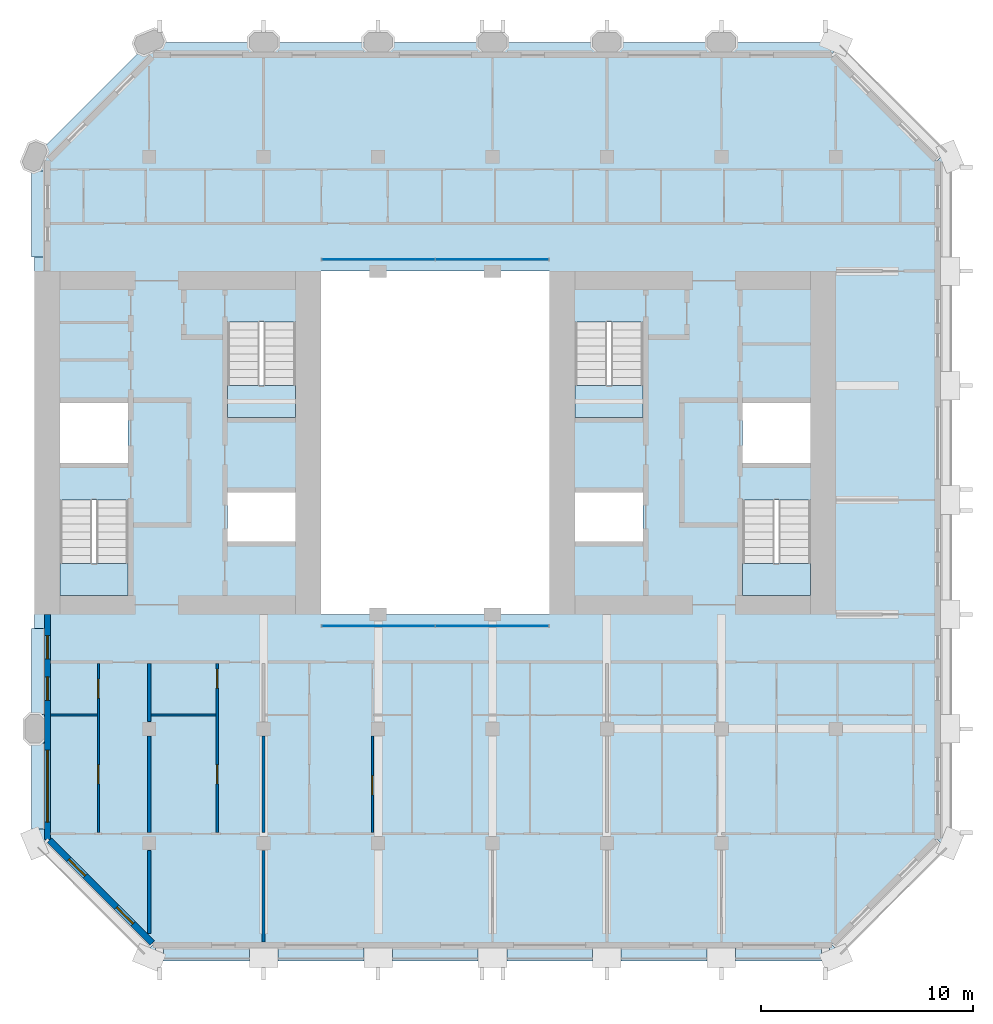
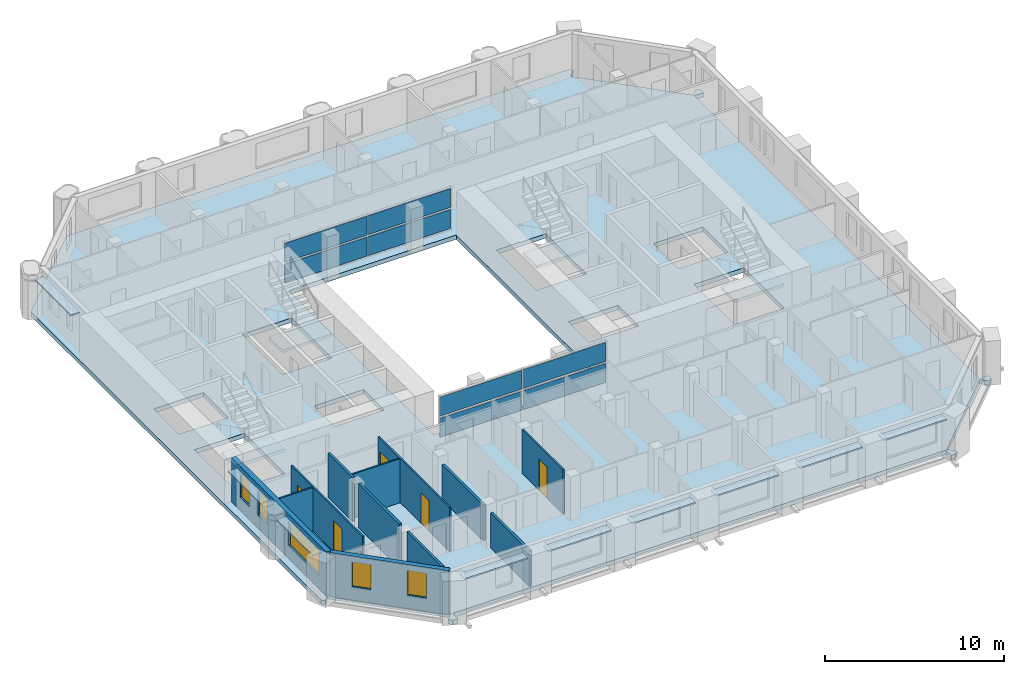
# One storey, part 5 of 14: 17 plates, 12 walls, 5 doors, 5 slabs, 5 windows, 10 openings, 6 elements without a shape of their own.
"""IFC4 building model written with IfcOpenShell, lengths in metres."""

import ifcopenshell
import ifcopenshell.guid

model = None  # the IFC model being written
_history = None  # IfcOwnerHistory: only IFC2X3 demands one
_inside = {}  # id of a spatial element -> (the spatial element, [elements in it])
_under = {}  # id of a project, library or spatial element -> (it, [spatial elements below it])
_declared = {}  # id of a project -> (the project, [libraries it declares])
_typed = {}  # id of a type object -> (the type object, [elements of that type])
_made_of = {}  # id of a material, layer set ... -> (it, [elements and type objects made of it])


def new_model(schema):
    """Start an empty IFC model of exactly this schema.

    Asked for "IFC4X3", IfcOpenShell would pick the latest addendum, in which some entities
    have other attributes; the version numbers below select the first issue.
    IFC2X3 requires an IfcOwnerHistory on every rooted entity: one is made here for all.
    """
    global model, _history
    if schema == "IFC4X3":
        model = ifcopenshell.file(schema_version=(4, 3, 0, 0))
    else:
        model = ifcopenshell.file(schema=schema)
    _inside.clear()
    _under.clear()
    _declared.clear()
    _typed.clear()
    _made_of.clear()
    _history = None
    if model.schema == "IFC2X3":
        org = make("IfcOrganization", Name="unknown")
        user = make(
            "IfcPersonAndOrganization",
            ThePerson=make("IfcPerson", FamilyName="unknown"),
            TheOrganization=org,
        )
        app = make(
            "IfcApplication",
            ApplicationDeveloper=org,
            Version="unknown",
            ApplicationFullName="unknown",
            ApplicationIdentifier="unknown",
        )
        _history = make(
            "IfcOwnerHistory",
            OwningUser=user,
            OwningApplication=app,
            ChangeAction="ADDED",
            CreationDate=0,
        )
    return model


def make(cls, **values):
    """One entity of the class cls with the attributes given. An attribute that is None is left unset."""
    return model.create_entity(
        cls, **{name: value for name, value in values.items() if value is not None}
    )


def rooted(cls, **values):
    """An entity with a GlobalId (a new one), such as an element, a storey or a relation."""
    return make(cls, GlobalId=ifcopenshell.guid.new(), OwnerHistory=_history, **values)


def si_unit(unit_type, name, prefix=None):
    """IfcSIUnit, for example si_unit("LENGTHUNIT", "METRE", prefix="MILLI")."""
    return make("IfcSIUnit", UnitType=unit_type, Prefix=prefix, Name=name)


def assignment(units):
    """IfcUnitAssignment: the units of a project."""
    return None if units is None else make("IfcUnitAssignment", Units=units)


def point(xyz):
    """IfcCartesianPoint."""
    return None if xyz is None else make("IfcCartesianPoint", Coordinates=xyz)


def direction(xyz):
    """IfcDirection."""
    return None if xyz is None else make("IfcDirection", DirectionRatios=xyz)


def frame(location, z_axis=None, x_axis=None):
    """IfcAxis2Placement3D, a coordinate frame: its origin and axes. An axis left out is left unset."""
    return make(
        "IfcAxis2Placement3D",
        Location=point(location),
        Axis=direction(z_axis),
        RefDirection=direction(x_axis),
    )


def frame_2d(location, x_axis=None):
    """IfcAxis2Placement2D, a coordinate frame in the plane: its origin and x axis."""
    return make(
        "IfcAxis2Placement2D", Location=point(location), RefDirection=direction(x_axis)
    )


def origin():
    """The frame at (0, 0, 0) with its axes left unset."""
    return frame((0.0, 0.0, 0.0))


def origin_2d():
    """The frame at (0, 0) in the plane with its x axis left unset."""
    return frame_2d((0.0, 0.0))


def place(relative_to, where):
    """IfcLocalPlacement: puts the frame where relative to a parent placement (None: the world)."""
    return make(
        "IfcLocalPlacement", PlacementRelTo=relative_to, RelativePlacement=where
    )


def context(
    kind, dimensions, precision=None, world=None, true_north=None, identifier=None
):
    """IfcGeometricRepresentationContext, for example the 3D "Model" context."""
    return make(
        "IfcGeometricRepresentationContext",
        ContextIdentifier=identifier,
        ContextType=kind,
        CoordinateSpaceDimension=dimensions,
        Precision=precision,
        WorldCoordinateSystem=world,
        TrueNorth=true_north,
    )


def subcontext(parent, identifier, kind, view, scale=None):
    """IfcGeometricRepresentationSubContext, for example "Body" below "Model"."""
    return make(
        "IfcGeometricRepresentationSubContext",
        ContextIdentifier=identifier,
        ContextType=kind,
        ParentContext=parent,
        TargetScale=scale,
        TargetView=view,
    )


def project(units=None, contexts=None):
    """IfcProject with its units and contexts."""
    return rooted(
        "IfcProject",
        Name="project",
        RepresentationContexts=contexts,
        UnitsInContext=assignment(units),
    )


def spatial(cls, under=None, at=None, **own):
    """A site, building, storey or space (cls), placed at a placement, below another one or the project."""
    s = rooted(cls, ObjectPlacement=at, **own)
    if under is not None:
        _under.setdefault(under.id(), (under, []))[1].append(s)
    return s


def polyline(points):
    """IfcPolyline through the points."""
    return make("IfcPolyline", Points=[point(p) for p in points])


def profile(cls, at=None, kind="AREA", **sizes):
    """A parametric profile (cls). Its sizes go by their IFC names, for example OverallWidth=200.0."""
    return make(cls, ProfileType=kind, Position=at, **sizes)


def rectangle(**sizes):
    """IfcRectangleProfileDef."""
    return profile("IfcRectangleProfileDef", **sizes)


def outline(outer, holes=None, kind="AREA"):
    """IfcArbitraryClosedProfileDef: a profile drawn as a closed curve; with holes, ...WithVoids."""
    if holes is None:
        return make("IfcArbitraryClosedProfileDef", ProfileType=kind, OuterCurve=outer)
    return make(
        "IfcArbitraryProfileDefWithVoids",
        ProfileType=kind,
        OuterCurve=outer,
        InnerCurves=holes,
    )


def extrude(swept, where, along, depth):
    """IfcExtrudedAreaSolid: the profile swept, set in the frame where, extruded along a direction by depth."""
    return make(
        "IfcExtrudedAreaSolid",
        SweptArea=swept,
        Position=where,
        ExtrudedDirection=direction(along),
        Depth=depth,
    )


def shape(context_of_items, identifier, shape_type, items):
    """IfcShapeRepresentation: the items that make up one representation, for example the "Body"."""
    return make(
        "IfcShapeRepresentation",
        ContextOfItems=context_of_items,
        RepresentationIdentifier=identifier,
        RepresentationType=shape_type,
        Items=items,
    )


def material(Name=None, Category=None):
    """IfcMaterial."""
    return make("IfcMaterial", Name=Name, Category=Category)


def layer(
    of_material, thickness, ventilated=None, Name=None, Category=None, Priority=None
):
    """IfcMaterialLayer: one layer of a wall or slab, of a material (None: an air gap)."""
    return make(
        "IfcMaterialLayer",
        Material=of_material,
        LayerThickness=thickness,
        IsVentilated=ventilated,
        Name=Name,
        Category=Category,
        Priority=Priority,
    )


def layer_set(layers, Name=None):
    """IfcMaterialLayerSet."""
    return make("IfcMaterialLayerSet", MaterialLayers=layers, LayerSetName=Name)


def made_of(thing, what):
    """Note that an element or type object is made of a material, layer set ...; save() writes the relation."""
    if what is not None:
        _made_of.setdefault(what.id(), (what, []))[1].append(thing)
    return thing


def type_object(cls, material=None, **own):
    """A type object (cls), such as IfcWallType, which elements share."""
    return made_of(rooted(cls, **own), material)


def element(
    cls,
    number,
    at=None,
    inside=None,
    cuts=None,
    type_object=None,
    material=None,
    context=None,
    identifier="Body",
    shape_type=None,
    held_by="IfcProductDefinitionShape",
    body=None,
    shapes=None,
    **own,
):
    """One element of the class cls, such as IfcWall. Its Tag is "e" and its number.

    at: its placement. inside: the storey or other place that contains it. cuts: it is an
    opening in that element (IfcRelVoidsElement). A single representation is given by context,
    identifier, shape_type and body (its items); several are given by shapes. held_by: the class
    of the entity that holds the representations. save() writes the other relations.
    """
    e = rooted(cls, Tag="e%d" % number, ObjectPlacement=at, **own)
    if body is not None:
        shapes = [shape(context, identifier, shape_type, body)]
    if shapes is not None:
        e.Representation = make(held_by, Representations=shapes)
    if inside is not None:
        _inside.setdefault(inside.id(), (inside, []))[1].append(e)
    if cuts is not None:
        rooted(
            "IfcRelVoidsElement", RelatingBuildingElement=cuts, RelatedOpeningElement=e
        )
    if type_object is not None:
        _typed.setdefault(type_object.id(), (type_object, []))[1].append(e)
    return made_of(e, material)


def fill(opening, filler):
    """IfcRelFillsElement: the door or window that sits in an opening."""
    return rooted(
        "IfcRelFillsElement",
        RelatingOpeningElement=opening,
        RelatedBuildingElement=filler,
    )


def aggregate(whole, parts):
    """IfcRelAggregates: a whole, such as a stair, and the parts it consists of."""
    return rooted("IfcRelAggregates", RelatingObject=whole, RelatedObjects=parts)


def save(model, path):
    """Write the relations noted so far, then the file.

    IfcRelAggregates (storeys below a building ...), IfcRelContainedInSpatialStructure (elements
    in a storey), IfcRelDefinesByType, IfcRelAssociatesMaterial and IfcRelDeclares: one each for
    every whole, place, type object, material and project.
    """
    for whole, parts in _under.values():
        aggregate(whole, parts)
    for where, things in _inside.values():
        rooted(
            "IfcRelContainedInSpatialStructure",
            RelatedElements=things,
            RelatingStructure=where,
        )
    for kind, things in _typed.values():
        rooted("IfcRelDefinesByType", RelatedObjects=things, RelatingType=kind)
    for what, things in _made_of.values():
        rooted("IfcRelAssociatesMaterial", RelatedObjects=things, RelatingMaterial=what)
    for by, libraries in _declared.values():
        rooted("IfcRelDeclares", RelatingContext=by, RelatedDefinitions=libraries)
    model.write(path)


model = new_model("IFC4")

# Units and contexts
model_context = context("Model", 3, precision=1e-05, world=origin(), true_north=direction((0.0, 1.0)))
body_context = subcontext(model_context, "Body", "Model", "MODEL_VIEW")
ifc_project = project(units=[si_unit("LENGTHUNIT", "METRE"), si_unit("AREAUNIT", "SQUARE_METRE"), si_unit("VOLUMEUNIT", "CUBIC_METRE"), si_unit("PLANEANGLEUNIT", "RADIAN"), si_unit("MASSUNIT", "GRAM", prefix="KILO")], contexts=[model_context])

# Site, building, storey
site_placement = place(None, origin())
site = spatial("IfcSite", under=ifc_project, at=site_placement, CompositionType="ELEMENT")
building_placement = place(site_placement, origin())
building = spatial("IfcBuilding", under=site, at=building_placement, Name="Tabaq Tower and Sports Hall", CompositionType="ELEMENT")
storey_placement = place(building_placement, frame((0.0, 0.0, 281.800048828125)))
storey = spatial("IfcBuildingStorey", under=building, at=storey_placement, Name="L69", CompositionType="ELEMENT", Elevation=281.800048828125)

# Curtain wall, plates
ifc_material_1 = material(Name="Aluminium alloy 6063-T6 framed glazing", Category="aluminium")
curtain_wall_type = type_object("IfcCurtainWallType", Name="CW1 curtain wall", PredefinedType="USERDEFINED", material=ifc_material_1)
curtain_wall_1_placement = place(storey_placement, origin())
curtain_wall_1 = element("IfcCurtainWall", 1, at=curtain_wall_1_placement, inside=storey, type_object=curtain_wall_type, Name="Atrium glazing L69 S", ObjectType="ATRIUM ENCLOSURE", PredefinedType="USERDEFINED")
ifc_material_2 = material(Name="Clear low-emissivity glass 28 mm", Category="glass")
ifc_layer_1 = layer(ifc_material_2, 0.028076171875)
ifc_layer_set_1 = layer_set([ifc_layer_1], Name="CW1 glass panel 28")
plate_type_1 = type_object("IfcPlateType", Name="CW1 glass panel 28", PredefinedType="CURTAIN_PANEL", material=ifc_layer_set_1)
plate_1_placement = place(storey_placement, frame((21.614990234375, 15.64990234375, 0.139892578125), z_axis=(0.0, 0.0, 1.0), x_axis=(1.0, 0.0, 0.0)))
plate_1 = element("IfcPlate", 2, at=plate_1_placement, type_object=plate_type_1, Name="CW1 panel 1.1", PredefinedType="CURTAIN_PANEL", context=body_context, shape_type="SweptSolid", body=[
    extrude(rectangle(XDim=5.31005859375, YDim=0.028076171875, at=origin_2d()), origin(), (0.0, 0.0, 1.0), 1.2900390625),
])
plate_2_placement = place(storey_placement, frame((21.614990234375, 15.64990234375, 1.56982421875), z_axis=(0.0, 0.0, 1.0), x_axis=(1.0, 0.0, 0.0)))
plate_2 = element("IfcPlate", 3, at=plate_2_placement, type_object=plate_type_1, Name="CW1 panel 1.2", PredefinedType="CURTAIN_PANEL", context=body_context, shape_type="SweptSolid", body=[
    extrude(rectangle(XDim=5.31005859375, YDim=0.028076171875, at=origin_2d()), origin(), (0.0, 0.0, 1.0), 1.2900390625),
])
plate_3_placement = place(storey_placement, frame((26.985107421875, 15.64990234375, 0.139892578125), z_axis=(0.0, 0.0, 1.0), x_axis=(1.0, 0.0, 0.0)))
plate_3 = element("IfcPlate", 4, at=plate_3_placement, type_object=plate_type_1, Name="CW1 panel 2.1", PredefinedType="CURTAIN_PANEL", context=body_context, shape_type="SweptSolid", body=[
    extrude(rectangle(XDim=5.31005859375, YDim=0.028076171875, at=origin_2d()), origin(), (0.0, 0.0, 1.0), 1.2900390625),
])
plate_4_placement = place(storey_placement, frame((26.985107421875, 15.64990234375, 1.56982421875), z_axis=(0.0, 0.0, 1.0), x_axis=(1.0, 0.0, 0.0)))
plate_4 = element("IfcPlate", 5, at=plate_4_placement, type_object=plate_type_1, Name="CW1 panel 2.2", PredefinedType="CURTAIN_PANEL", context=body_context, shape_type="SweptSolid", body=[
    extrude(rectangle(XDim=5.31005859375, YDim=0.028076171875, at=origin_2d()), origin(), (0.0, 0.0, 1.0), 1.2900390625),
])
aggregate(curtain_wall_1, [plate_1, plate_2, plate_3, plate_4])

curtain_wall_2_placement = place(storey_placement, origin())
curtain_wall_2 = element("IfcCurtainWall", 6, at=curtain_wall_2_placement, inside=storey, type_object=curtain_wall_type, Name="Atrium glazing L69 N", ObjectType="ATRIUM ENCLOSURE", PredefinedType="USERDEFINED")
plate_5_placement = place(storey_placement, frame((21.614990234375, 32.949951171875, 0.139892578125), z_axis=(0.0, 0.0, 1.0), x_axis=(1.0, 0.0, 0.0)))
plate_5 = element("IfcPlate", 7, at=plate_5_placement, type_object=plate_type_1, Name="CW1 panel 1.1", PredefinedType="CURTAIN_PANEL", context=body_context, shape_type="SweptSolid", body=[
    extrude(rectangle(XDim=5.31005859375, YDim=0.028076171875, at=origin_2d()), origin(), (0.0, 0.0, 1.0), 1.2900390625),
])
plate_6_placement = place(storey_placement, frame((21.614990234375, 32.949951171875, 1.56982421875), z_axis=(0.0, 0.0, 1.0), x_axis=(1.0, 0.0, 0.0)))
plate_6 = element("IfcPlate", 8, at=plate_6_placement, type_object=plate_type_1, Name="CW1 panel 1.2", PredefinedType="CURTAIN_PANEL", context=body_context, shape_type="SweptSolid", body=[
    extrude(rectangle(XDim=5.31005859375, YDim=0.028076171875, at=origin_2d()), origin(), (0.0, 0.0, 1.0), 1.2900390625),
])
plate_7_placement = place(storey_placement, frame((26.985107421875, 32.949951171875, 0.139892578125), z_axis=(0.0, 0.0, 1.0), x_axis=(1.0, 0.0, 0.0)))
plate_7 = element("IfcPlate", 9, at=plate_7_placement, type_object=plate_type_1, Name="CW1 panel 2.1", PredefinedType="CURTAIN_PANEL", context=body_context, shape_type="SweptSolid", body=[
    extrude(rectangle(XDim=5.31005859375, YDim=0.028076171875, at=origin_2d()), origin(), (0.0, 0.0, 1.0), 1.2900390625),
])
plate_8_placement = place(storey_placement, frame((26.985107421875, 32.949951171875, 1.56982421875), z_axis=(0.0, 0.0, 1.0), x_axis=(1.0, 0.0, 0.0)))
plate_8 = element("IfcPlate", 10, at=plate_8_placement, type_object=plate_type_1, Name="CW1 panel 2.2", PredefinedType="CURTAIN_PANEL", context=body_context, shape_type="SweptSolid", body=[
    extrude(rectangle(XDim=5.31005859375, YDim=0.028076171875, at=origin_2d()), origin(), (0.0, 0.0, 1.0), 1.2900390625),
])
aggregate(curtain_wall_2, [plate_5, plate_6, plate_7, plate_8])

# Stair, slab
ifc_material_3 = material(Name="Concrete C40/50", Category="concrete")
stair_type = type_object("IfcStairType", Name="Exit stair", PredefinedType="HALF_TURN_STAIR", material=ifc_material_3)
stair_1_placement = place(storey_placement, origin())
stair_1 = element("IfcStair", 11, at=stair_1_placement, inside=storey, type_object=stair_type, Name="L69 Exit stair ST1", PredefinedType="HALF_TURN_STAIR")
ifc_material_4 = material(Name="Concrete C40/50", Category="concrete")
ifc_layer_2 = layer(ifc_material_4, 0.199951171875)
ifc_layer_set_2 = layer_set([ifc_layer_2], Name="Exit stair landing")
slab_type_1 = type_object("IfcSlabType", Name="Exit stair landing", PredefinedType="LANDING", material=ifc_layer_set_2)
slab_1_placement = place(storey_placement, frame((0.0, 0.0, 1.449951171875)))
slab_1 = element("IfcSlab", 12, at=slab_1_placement, type_object=slab_type_1, Name="ST1 landing 1", PredefinedType="LANDING", context=body_context, shape_type="SweptSolid", body=[
    extrude(outline(polyline([(6.60009765625, 18.60009765625), (6.60009765625, 17.10009765625), (9.800048828125, 17.10009765625), (9.800048828125, 18.60009765625), (6.60009765625, 18.60009765625)])), origin(), (0.0, 0.0, 1.0), 0.199951171875),
])
aggregate(stair_1, [slab_1])

stair_2_placement = place(storey_placement, origin())
stair_2 = element("IfcStair", 13, at=stair_2_placement, inside=storey, type_object=stair_type, Name="L69 Exit stair ST2", PredefinedType="HALF_TURN_STAIR")
slab_2_placement = place(storey_placement, frame((0.0, 0.0, 1.449951171875)))
slab_2 = element("IfcSlab", 14, at=slab_2_placement, type_object=slab_type_1, Name="ST2 landing 1", PredefinedType="LANDING", context=body_context, shape_type="SweptSolid", body=[
    extrude(outline(polyline([(14.5, 27.0), (14.5, 25.5), (17.699951171875, 25.5), (17.699951171875, 27.0), (14.5, 27.0)])), origin(), (0.0, 0.0, 1.0), 0.199951171875),
])
aggregate(stair_2, [slab_2])

stair_3_placement = place(storey_placement, origin())
stair_3 = element("IfcStair", 15, at=stair_3_placement, inside=storey, type_object=stair_type, Name="L69 Exit stair ST3", PredefinedType="HALF_TURN_STAIR")
slab_3_placement = place(storey_placement, frame((0.0, 0.0, 1.449951171875)))
slab_3 = element("IfcSlab", 16, at=slab_3_placement, type_object=slab_type_1, Name="ST3 landing 1", PredefinedType="LANDING", context=body_context, shape_type="SweptSolid", body=[
    extrude(outline(polyline([(38.800048828125, 18.60009765625), (38.800048828125, 17.10009765625), (42.0, 17.10009765625), (42.0, 18.60009765625), (38.800048828125, 18.60009765625)])), origin(), (0.0, 0.0, 1.0), 0.199951171875),
])
aggregate(stair_3, [slab_3])

stair_4_placement = place(storey_placement, origin())
stair_4 = element("IfcStair", 17, at=stair_4_placement, inside=storey, type_object=stair_type, Name="L69 Exit stair ST4", PredefinedType="HALF_TURN_STAIR")
slab_4_placement = place(storey_placement, frame((0.0, 0.0, 1.449951171875)))
slab_4 = element("IfcSlab", 18, at=slab_4_placement, type_object=slab_type_1, Name="ST4 landing 1", PredefinedType="LANDING", context=body_context, shape_type="SweptSolid", body=[
    extrude(outline(polyline([(30.89990234375, 27.0), (30.89990234375, 25.5), (34.10009765625, 25.5), (34.10009765625, 27.0), (30.89990234375, 27.0)])), origin(), (0.0, 0.0, 1.0), 0.199951171875),
])
aggregate(stair_4, [slab_4])

# Slab
ifc_material_5 = material(Name="Concrete C40/50", Category="concrete")
ifc_layer_3 = layer(ifc_material_5, 0.300048828125)
ifc_layer_set_3 = layer_set([ifc_layer_3], Name="PT FLOOR SLAB 300 C40/50")
slab_type_2 = type_object("IfcSlabType", Name="PT FLOOR SLAB 300 C40/50", PredefinedType="FLOOR", material=ifc_layer_set_3)
slab_5_placement = place(storey_placement, frame((0.0, 0.0, -0.300048828125)))
element("IfcSlab", 19, at=slab_5_placement, inside=storey, type_object=slab_type_2, Name="Floor Slab L69", PredefinedType="FLOOR", context=body_context, shape_type="SweptSolid", body=[
    extrude(outline(polyline([(5.39990234375, 37.800048828125), (5.39990234375, 5.39990234375), (5.57666015625, 5.22314453125), (5.930419921875, 5.57666015625), (6.0009765625, 5.6474609375), (11.01318359375, 0.63525390625), (10.5888671875, 0.211181640625), (10.800048828125, 0.0), (11.0986328125, 0.0), (11.0986328125, 0.5), (11.0986328125, 0.60009765625), (42.9013671875, 0.60009765625), (42.9013671875, 0.5), (42.9013671875, 0.0), (43.199951171875, 0.0), (43.4111328125, 0.211181640625), (42.98681640625, 0.63525390625), (47.964599609375, 5.61328125), (48.035400390625, 5.54248046875), (48.388916015625, 5.18896484375), (48.60009765625, 5.39990234375), (48.60009765625, 5.698486328125), (48.10009765625, 5.698486328125), (48.0, 5.698486328125), (48.0, 37.50146484375), (48.10009765625, 37.50146484375), (48.60009765625, 37.50146484375), (48.60009765625, 37.800048828125), (48.388916015625, 38.010986328125), (48.035400390625, 37.657470703125), (47.964599609375, 37.5869140625), (42.952392578125, 42.598876953125), (43.023193359375, 42.669677734375), (43.376708984375, 43.023193359375), (43.199951171875, 43.199951171875), (10.800048828125, 43.199951171875), (5.39990234375, 37.800048828125)]), holes=[polyline([(6.60009765625, 21.599365234375), (9.800048828125, 21.599365234375), (9.800048828125, 17.10009765625), (6.60009765625, 17.10009765625), (6.60009765625, 21.599365234375)]), polyline([(38.800048828125, 21.599365234375), (42.0, 21.599365234375), (42.0, 17.10009765625), (38.800048828125, 17.10009765625), (38.800048828125, 21.599365234375)]), polyline([(14.5, 21.949951171875), (17.699951171875, 21.949951171875), (17.699951171875, 19.64990234375), (14.5, 19.64990234375), (14.5, 21.949951171875)]), polyline([(30.89990234375, 21.949951171875), (34.10009765625, 21.949951171875), (34.10009765625, 19.64990234375), (30.89990234375, 19.64990234375), (30.89990234375, 21.949951171875)]), polyline([(18.89990234375, 16.199951171875), (18.89990234375, 32.39990234375), (29.699951171875, 32.39990234375), (29.699951171875, 16.199951171875), (18.89990234375, 16.199951171875)]), polyline([(6.60009765625, 26.175048828125), (9.800048828125, 26.175048828125), (9.800048828125, 23.35009765625), (6.60009765625, 23.35009765625), (6.60009765625, 26.175048828125)]), polyline([(38.800048828125, 26.175048828125), (42.0, 26.175048828125), (42.0, 23.35009765625), (38.800048828125, 23.35009765625), (38.800048828125, 26.175048828125)]), polyline([(17.699951171875, 29.99951171875), (17.699951171875, 25.5), (14.5, 25.5), (14.5, 29.99951171875), (17.699951171875, 29.99951171875)]), polyline([(34.10009765625, 29.99951171875), (34.10009765625, 25.5), (30.89990234375, 25.5), (30.89990234375, 29.99951171875), (34.10009765625, 29.99951171875)])]), origin(), (0.0, 0.0, 1.0), 0.300048828125),
])

# Plates
ifc_material_6 = material(Name="White precast concrete C60/75 blade", Category="concrete")
ifc_layer_4 = layer(ifc_material_6, 0.10009765625)
ifc_layer_set_4 = layer_set([ifc_layer_4], Name="White precast concrete C60/75 sunshade 100")
plate_type_2 = type_object("IfcPlateType", Name="White precast concrete C60/75 sunshade 100", PredefinedType="USERDEFINED", material=ifc_layer_set_4)
for number, where, z_axis, x_axis, name in (
    (20, (13.5, 0.14990234375, 2.599853515625), (0.0, 0.0, 1.0), (1.0, 0.0, 0.0), "Sunshade L69 S"),
    (21, (18.89990234375, 0.14990234375, 2.599853515625), (0.0, 0.0, 1.0), (1.0, 0.0, 0.0), "Sunshade L69 S"),
    (22, (24.300048828125, 0.14990234375, 2.599853515625), (0.0, 0.0, 1.0), (1.0, 0.0, 0.0), "Sunshade L69 S"),
    (23, (29.699951171875, 0.14990234375, 2.599853515625), (0.0, 0.0, 1.0), (1.0, 0.0, 0.0), "Sunshade L69 S"),
    (24, (35.10009765625, 0.14990234375, 2.599853515625), (0.0, 0.0, 1.0), (1.0, 0.0, 0.0), "Sunshade L69 S"),
    (25, (40.5, 0.14990234375, 2.599853515625), (0.0, 0.0, 1.0), (1.0, 0.0, 0.0), "Sunshade L69 S"),
    (26, (5.550048828125, 35.10009765625, 2.599853515625), (0.0, 0.0, 1.0), (0.0, -1.0, 0.0), "Sunshade L69 W"),
    (27, (5.550048828125, 13.5, 2.599853515625), (0.0, 0.0, 1.0), (0.0, -1.0, 0.0), "Sunshade L69 W"),
    (28, (5.550048828125, 8.10009765625, 2.599853515625), (0.0, 0.0, 1.0), (0.0, -1.0, 0.0), "Sunshade L69 W"),
):
    element("IfcPlate", number, at=place(storey_placement, frame(where, z_axis=z_axis, x_axis=x_axis)), inside=storey, type_object=plate_type_2, Name=name, ObjectType="SUNSHADE", PredefinedType="USERDEFINED", context=body_context, shape_type="SweptSolid", body=[
        extrude(rectangle(XDim=4.050048828125, YDim=0.60009765625, at=origin_2d()), origin(), (0.0, 0.0, 1.0), 0.10009765625),
    ])

# Wall
ifc_material_7 = material(Name="Gypsum board on steel studs", Category="steel")
ifc_layer_5 = layer(ifc_material_7, 0.10009765625)
ifc_layer_set_5 = layer_set([ifc_layer_5], Name="Partition 100 Gypsum board")
wall_type_1 = type_object("IfcWallType", Name="Partition 100 Gypsum board", PredefinedType="PARTITIONING", material=ifc_layer_set_5)
wall_1_placement = place(storey_placement, frame((8.35009765625, 11.449951171875, 0.0), z_axis=(0.0, 0.0, 1.0), x_axis=(-1.0, 0.0, 0.0)))
element("IfcWall", 29, at=wall_1_placement, inside=storey, type_object=wall_type_1, Name="Partition wall L69", PredefinedType="PARTITIONING", context=body_context, shape_type="SweptSolid", body=[
    extrude(rectangle(XDim=2.19921875, YDim=0.10009765625, at=frame_2d((1.099609375, 0.0))), origin(), (0.0, 0.0, 1.0), 3.0),
])

# Wall, openings, doors
wall_2_placement = place(storey_placement, frame((8.39990234375, 5.89990234375, 0.0), z_axis=(0.0, 0.0, 1.0), x_axis=(0.0, 1.0, 0.0)))
wall_2 = element("IfcWall", 30, at=wall_2_placement, inside=storey, type_object=wall_type_1, Name="Partition wall L69", PredefinedType="PARTITIONING", context=body_context, shape_type="SweptSolid", body=[
    extrude(rectangle(XDim=7.97509765625, YDim=0.10009765625, at=frame_2d((3.987548828125, 0.0))), origin(), (0.0, 0.0, 1.0), 3.0),
])
opening_1_placement = place(wall_2_placement, frame((6.35009765625, 0.0, 0.0)))
opening_1 = element("IfcOpeningElement", 31, at=opening_1_placement, cuts=wall_2, Name="Opening L69-013", PredefinedType="OPENING", context=body_context, shape_type="SweptSolid", body=[
    extrude(rectangle(XDim=0.89990234375, YDim=2.10009765625, at=frame_2d((0.449951171875, 1.050048828125))), frame((0.0, 0.050048828125, 0.0), z_axis=(0.0, -1.0, 0.0), x_axis=(1.0, 0.0, 0.0)), (0.0, 0.0, 1.0), 0.10009765625),
])
opening_2_placement = place(wall_2_placement, frame((2.300048828125, 0.0, 0.0)))
opening_2 = element("IfcOpeningElement", 32, at=opening_2_placement, cuts=wall_2, Name="Opening L69-036", PredefinedType="OPENING", context=body_context, shape_type="SweptSolid", body=[
    extrude(rectangle(XDim=0.89990234375, YDim=2.10009765625, at=frame_2d((0.449951171875, 1.050048828125))), frame((0.0, 0.050048828125, 0.0), z_axis=(0.0, -1.0, 0.0), x_axis=(1.0, 0.0, 0.0)), (0.0, 0.0, 1.0), 0.10009765625),
])
ifc_material_8 = material(Name="Timber leaf in steel frame", Category="steel")
door_type_1 = type_object("IfcDoorType", Name="Internal door 900 left hand", OperationType="SINGLE_SWING_LEFT", PredefinedType="DOOR", material=ifc_material_8)
door_1_placement = place(opening_2_placement, origin())
door_1 = element("IfcDoor", 33, at=door_1_placement, inside=storey, type_object=door_type_1, Name="Internal door L69-036", OperationType="SINGLE_SWING_LEFT", OverallHeight=2.10009765625, OverallWidth=0.89990234375, PredefinedType="DOOR", context=body_context, shape_type="SweptSolid", body=[
    extrude(rectangle(XDim=0.89990234375, YDim=2.10009765625, at=frame_2d((0.449951171875, 1.050048828125))), frame((0.0, 0.02490234375, 0.0), z_axis=(0.0, -1.0, 0.0), x_axis=(1.0, 0.0, 0.0)), (0.0, 0.0, 1.0), 0.050048828125),
])
fill(opening_2, door_1)
ifc_material_9 = material(Name="Timber leaf in steel frame", Category="steel")
door_type_2 = type_object("IfcDoorType", Name="Internal door 900 right hand", OperationType="SINGLE_SWING_RIGHT", PredefinedType="DOOR", material=ifc_material_9)
door_2_placement = place(opening_1_placement, origin())
door_2 = element("IfcDoor", 34, at=door_2_placement, inside=storey, type_object=door_type_2, Name="Internal door L69-013", OperationType="SINGLE_SWING_RIGHT", OverallHeight=2.10009765625, OverallWidth=0.89990234375, PredefinedType="DOOR", context=body_context, shape_type="SweptSolid", body=[
    extrude(rectangle(XDim=0.89990234375, YDim=2.10009765625, at=frame_2d((0.449951171875, 1.050048828125))), frame((0.0, 0.02490234375, 0.0), z_axis=(0.0, -1.0, 0.0), x_axis=(1.0, 0.0, 0.0)), (0.0, 0.0, 1.0), 0.050048828125),
])
fill(opening_1, door_2)

# Wall
wall_3_placement = place(storey_placement, frame((13.9599609375, 11.449951171875, 0.0), z_axis=(0.0, 0.0, 1.0), x_axis=(-1.0, 0.0, 0.0)))
element("IfcWall", 35, at=wall_3_placement, inside=storey, type_object=wall_type_1, Name="Partition wall L69", PredefinedType="PARTITIONING", context=body_context, shape_type="SweptSolid", body=[
    extrude(rectangle(XDim=3.0849609375, YDim=0.10009765625, at=frame_2d((1.54248046875, 0.0))), origin(), (0.0, 0.0, 1.0), 3.0),
])

# Wall, openings, doors
wall_4_placement = place(storey_placement, frame((14.010009765625, 5.89990234375, 0.0), z_axis=(0.0, 0.0, 1.0), x_axis=(0.0, 1.0, 0.0)))
wall_4 = element("IfcWall", 36, at=wall_4_placement, inside=storey, type_object=wall_type_1, Name="Partition wall L69", PredefinedType="PARTITIONING", context=body_context, shape_type="SweptSolid", body=[
    extrude(rectangle(XDim=7.97509765625, YDim=0.10009765625, at=frame_2d((3.987548828125, 0.0))), origin(), (0.0, 0.0, 1.0), 3.0),
])
opening_3_placement = place(wall_4_placement, frame((6.824951171875, 0.0, 0.0)))
opening_3 = element("IfcOpeningElement", 37, at=opening_3_placement, cuts=wall_4, Name="Opening L69-014", PredefinedType="OPENING", context=body_context, shape_type="SweptSolid", body=[
    extrude(rectangle(XDim=0.89990234375, YDim=2.10009765625, at=frame_2d((0.449951171875, 1.050048828125))), frame((0.0, 0.050048828125, 0.0), z_axis=(0.0, -1.0, 0.0), x_axis=(1.0, 0.0, 0.0)), (0.0, 0.0, 1.0), 0.10009765625),
])
opening_4_placement = place(wall_4_placement, frame((2.300048828125, 0.0, 0.0)))
opening_4 = element("IfcOpeningElement", 38, at=opening_4_placement, cuts=wall_4, Name="Opening L69-039", PredefinedType="OPENING", context=body_context, shape_type="SweptSolid", body=[
    extrude(rectangle(XDim=0.89990234375, YDim=2.10009765625, at=frame_2d((0.449951171875, 1.050048828125))), frame((0.0, 0.050048828125, 0.0), z_axis=(0.0, -1.0, 0.0), x_axis=(1.0, 0.0, 0.0)), (0.0, 0.0, 1.0), 0.10009765625),
])
door_3_placement = place(opening_3_placement, origin())
door_3 = element("IfcDoor", 39, at=door_3_placement, inside=storey, type_object=door_type_1, Name="Internal door L69-014", OperationType="SINGLE_SWING_LEFT", OverallHeight=2.10009765625, OverallWidth=0.89990234375, PredefinedType="DOOR", context=body_context, shape_type="SweptSolid", body=[
    extrude(rectangle(XDim=0.89990234375, YDim=2.10009765625, at=frame_2d((0.449951171875, 1.050048828125))), frame((0.0, 0.02490234375, 0.0), z_axis=(0.0, -1.0, 0.0), x_axis=(1.0, 0.0, 0.0)), (0.0, 0.0, 1.0), 0.050048828125),
])
fill(opening_3, door_3)
door_4_placement = place(opening_4_placement, origin())
door_4 = element("IfcDoor", 40, at=door_4_placement, inside=storey, type_object=door_type_2, Name="Internal door L69-039", OperationType="SINGLE_SWING_RIGHT", OverallHeight=2.10009765625, OverallWidth=0.89990234375, PredefinedType="DOOR", context=body_context, shape_type="SweptSolid", body=[
    extrude(rectangle(XDim=0.89990234375, YDim=2.10009765625, at=frame_2d((0.449951171875, 1.050048828125))), frame((0.0, 0.02490234375, 0.0), z_axis=(0.0, -1.0, 0.0), x_axis=(1.0, 0.0, 0.0)), (0.0, 0.0, 1.0), 0.050048828125),
])
fill(opening_4, door_4)

# Wall, opening, door
wall_5_placement = place(storey_placement, frame((21.3310546875, 5.89990234375, 0.0), z_axis=(0.0, 0.0, 1.0), x_axis=(0.0, 1.0, 0.0)))
wall_5 = element("IfcWall", 41, at=wall_5_placement, inside=storey, type_object=wall_type_1, Name="Partition wall L69", PredefinedType="PARTITIONING", context=body_context, shape_type="SweptSolid", body=[
    extrude(rectangle(XDim=4.55517578125, YDim=0.10009765625, at=frame_2d((2.277587890625, 0.0))), origin(), (0.0, 0.0, 1.0), 3.0),
])
opening_5_placement = place(wall_5_placement, frame((1.787109375, 0.0, 0.0)))
opening_5 = element("IfcOpeningElement", 42, at=opening_5_placement, cuts=wall_5, Name="Opening L69-017", PredefinedType="OPENING", context=body_context, shape_type="SweptSolid", body=[
    extrude(rectangle(XDim=0.89990234375, YDim=2.10009765625, at=frame_2d((0.449951171875, 1.050048828125))), frame((0.0, 0.050048828125, 0.0), z_axis=(0.0, -1.0, 0.0), x_axis=(1.0, 0.0, 0.0)), (0.0, 0.0, 1.0), 0.10009765625),
])
door_5_placement = place(opening_5_placement, origin())
door_5 = element("IfcDoor", 43, at=door_5_placement, inside=storey, type_object=door_type_1, Name="Internal door L69-017", OperationType="SINGLE_SWING_LEFT", OverallHeight=2.10009765625, OverallWidth=0.89990234375, PredefinedType="DOOR", context=body_context, shape_type="SweptSolid", body=[
    extrude(rectangle(XDim=0.89990234375, YDim=2.10009765625, at=frame_2d((0.449951171875, 1.050048828125))), frame((0.0, 0.02490234375, 0.0), z_axis=(0.0, -1.0, 0.0), x_axis=(1.0, 0.0, 0.0)), (0.0, 0.0, 1.0), 0.050048828125),
])
fill(opening_5, door_5)

# Walls
ifc_material_10 = material(Name="Blockwork", Category="masonry")
ifc_layer_6 = layer(ifc_material_10, 0.14990234375)
ifc_layer_set_6 = layer_set([ifc_layer_6], Name="Separating wall 150 Blockwork")
wall_type_2 = type_object("IfcWallType", Name="Separating wall 150 Blockwork", PredefinedType="PARTITIONING", material=ifc_layer_set_6)
wall_6_placement = place(storey_placement, frame((10.800048828125, 1.13720703125, 0.0), z_axis=(0.0, 0.0, 1.0), x_axis=(0.0, 1.0, 0.0)))
element("IfcWall", 44, at=wall_6_placement, inside=storey, type_object=wall_type_2, Name="Separating wall L69", PredefinedType="PARTITIONING", context=body_context, shape_type="SweptSolid", body=[
    extrude(rectangle(XDim=3.917724609375, YDim=0.14990234375, at=frame_2d((1.958984375, 0.0))), origin(), (0.0, 0.0, 1.0), 3.0),
])
wall_7_placement = place(storey_placement, frame((10.800048828125, 5.89990234375, 0.0), z_axis=(0.0, 0.0, 1.0), x_axis=(0.0, 1.0, 0.0)))
element("IfcWall", 45, at=wall_7_placement, inside=storey, type_object=wall_type_2, Name="Separating wall L69", PredefinedType="PARTITIONING", context=body_context, shape_type="SweptSolid", body=[
    extrude(rectangle(XDim=4.55517578125, YDim=0.14990234375, at=frame_2d((2.277587890625, 0.0))), origin(), (0.0, 0.0, 1.0), 3.0),
])
wall_8_placement = place(storey_placement, frame((10.800048828125, 11.14501953125, 0.0), z_axis=(0.0, 0.0, 1.0), x_axis=(0.0, 1.0, 0.0)))
element("IfcWall", 46, at=wall_8_placement, inside=storey, type_object=wall_type_2, Name="Separating wall L69", PredefinedType="PARTITIONING", context=body_context, shape_type="SweptSolid", body=[
    extrude(rectangle(XDim=2.72998046875, YDim=0.14990234375, at=frame_2d((1.364990234375, 0.0))), origin(), (0.0, 0.0, 1.0), 3.0),
])
wall_9_placement = place(storey_placement, frame((16.199951171875, 0.7509765625, 0.0), z_axis=(0.0, 0.0, 1.0), x_axis=(0.0, 1.0, 0.0)))
element("IfcWall", 47, at=wall_9_placement, inside=storey, type_object=wall_type_2, Name="Separating wall L69", PredefinedType="PARTITIONING", context=body_context, shape_type="SweptSolid", body=[
    extrude(rectangle(XDim=4.303955078125, YDim=0.14990234375, at=frame_2d((2.15185546875, 0.0))), origin(), (0.0, 0.0, 1.0), 2.39990234375),
])
wall_10_placement = place(storey_placement, frame((16.199951171875, 5.89990234375, 0.0), z_axis=(0.0, 0.0, 1.0), x_axis=(0.0, 1.0, 0.0)))
element("IfcWall", 48, at=wall_10_placement, inside=storey, type_object=wall_type_2, Name="Separating wall L69", PredefinedType="PARTITIONING", context=body_context, shape_type="SweptSolid", body=[
    extrude(rectangle(XDim=4.55517578125, YDim=0.14990234375, at=frame_2d((2.277587890625, 0.0))), origin(), (0.0, 0.0, 1.0), 2.39990234375),
])

# Wall, openings, windows
ifc_material_11 = material(Name="White precast concrete C60/75", Category="concrete")
ifc_layer_7 = layer(ifc_material_11, 0.300048828125)
ifc_layer_set_7 = layer_set([ifc_layer_7], Name="White precast concrete C60/75 external wall 300")
wall_type_3 = type_object("IfcWallType", Name="White precast concrete C60/75 external wall 300", PredefinedType="SOLIDWALL", material=ifc_layer_set_7)
wall_11_placement = place(storey_placement, frame((6.0, 16.199951171875, 0.0), z_axis=(0.0, 0.0, 1.0), x_axis=(0.0, -1.0, 0.0)))
wall_11 = element("IfcWall", 49, at=wall_11_placement, inside=storey, type_object=wall_type_3, Name="External Wall L69 W", PredefinedType="SOLIDWALL", context=body_context, shape_type="SweptSolid", body=[
    extrude(rectangle(XDim=10.613525390625, YDim=0.300048828125, at=frame_2d((5.306640625, 0.0))), origin(), (0.0, 0.0, 1.0), 3.0),
])
opening_6_placement = place(wall_11_placement, frame((1.0, 0.0, 0.89990234375)))
opening_6 = element("IfcOpeningElement", 50, at=opening_6_placement, cuts=wall_11, Name="Opening W1B", PredefinedType="OPENING", context=body_context, shape_type="SweptSolid", body=[
    extrude(rectangle(XDim=1.10009765625, YDim=1.699951171875, at=frame_2d((0.550048828125, 0.85009765625))), frame((0.0, 0.16015625, 0.0), z_axis=(0.0, -1.0, 0.0), x_axis=(1.0, 0.0, 0.0)), (0.0, 0.0, 1.0), 0.320068359375),
])
opening_7_placement = place(wall_11_placement, frame((2.949951171875, 0.0, 0.89990234375)))
opening_7 = element("IfcOpeningElement", 51, at=opening_7_placement, cuts=wall_11, Name="Opening W1B", PredefinedType="OPENING", context=body_context, shape_type="SweptSolid", body=[
    extrude(rectangle(XDim=1.10009765625, YDim=1.699951171875, at=frame_2d((0.550048828125, 0.85009765625))), frame((0.0, 0.16015625, 0.0), z_axis=(0.0, -1.0, 0.0), x_axis=(1.0, 0.0, 0.0)), (0.0, 0.0, 1.0), 0.320068359375),
])
opening_8_placement = place(wall_11_placement, frame((6.39990234375, 0.0, 0.89990234375)))
opening_8 = element("IfcOpeningElement", 52, at=opening_8_placement, cuts=wall_11, Name="Opening W1A", PredefinedType="OPENING", context=body_context, shape_type="SweptSolid", body=[
    extrude(rectangle(XDim=3.39990234375, YDim=1.699951171875, at=frame_2d((1.699951171875, 0.85009765625))), frame((0.0, 0.16015625, 0.0), z_axis=(0.0, -1.0, 0.0), x_axis=(1.0, 0.0, 0.0)), (0.0, 0.0, 1.0), 0.320068359375),
])
ifc_material_12 = material(Name="Aluminium framed clear glazing", Category="aluminium")
window_type_1 = type_object("IfcWindowType", Name="Window W1A", PartitioningType="SINGLE_PANEL", PredefinedType="WINDOW", material=ifc_material_12)
window_1_placement = place(opening_8_placement, origin())
window_1 = element("IfcWindow", 53, at=window_1_placement, inside=storey, type_object=window_type_1, Name="Window W1A L69", OverallHeight=1.699951171875, OverallWidth=3.39990234375, PartitioningType="SINGLE_PANEL", PredefinedType="WINDOW", context=body_context, shape_type="SweptSolid", body=[
    extrude(rectangle(XDim=3.39990234375, YDim=1.699951171875, at=frame_2d((1.699951171875, 0.85009765625))), frame((0.0, 0.030029296875, 0.0), z_axis=(0.0, -1.0, 0.0), x_axis=(1.0, 0.0, 0.0)), (0.0, 0.0, 1.0), 0.06005859375),
])
fill(opening_8, window_1)
ifc_material_13 = material(Name="Aluminium framed clear glazing", Category="aluminium")
window_type_2 = type_object("IfcWindowType", Name="Window W1B", PartitioningType="SINGLE_PANEL", PredefinedType="WINDOW", material=ifc_material_13)
window_2_placement = place(opening_6_placement, origin())
window_2 = element("IfcWindow", 54, at=window_2_placement, inside=storey, type_object=window_type_2, Name="Window W1B L69", OverallHeight=1.699951171875, OverallWidth=1.10009765625, PartitioningType="SINGLE_PANEL", PredefinedType="WINDOW", context=body_context, shape_type="SweptSolid", body=[
    extrude(rectangle(XDim=1.10009765625, YDim=1.699951171875, at=frame_2d((0.550048828125, 0.85009765625))), frame((0.0, 0.030029296875, 0.0), z_axis=(0.0, -1.0, 0.0), x_axis=(1.0, 0.0, 0.0)), (0.0, 0.0, 1.0), 0.06005859375),
])
fill(opening_6, window_2)
window_3_placement = place(opening_7_placement, origin())
window_3 = element("IfcWindow", 55, at=window_3_placement, inside=storey, type_object=window_type_2, Name="Window W1B L69", OverallHeight=1.699951171875, OverallWidth=1.10009765625, PartitioningType="SINGLE_PANEL", PredefinedType="WINDOW", context=body_context, shape_type="SweptSolid", body=[
    extrude(rectangle(XDim=1.10009765625, YDim=1.699951171875, at=frame_2d((0.550048828125, 0.85009765625))), frame((0.0, 0.030029296875, 0.0), z_axis=(0.0, -1.0, 0.0), x_axis=(1.0, 0.0, 0.0)), (0.0, 0.0, 1.0), 0.06005859375),
])
fill(opening_7, window_3)

wall_12_placement = place(storey_placement, frame((6.098876953125, 5.549560546875, 0.0), z_axis=(0.0, 0.0, 1.0), x_axis=(0.707106781187, -0.707106781187, 0.0)))
wall_12 = element("IfcWall", 56, at=wall_12_placement, inside=storey, type_object=wall_type_3, Name="External Wall L69 SW", PredefinedType="SOLIDWALL", context=body_context, shape_type="SweptSolid", body=[
    extrude(rectangle(XDim=6.85986328125, YDim=0.300048828125, at=frame_2d((3.429931640625, 0.0))), origin(), (0.0, 0.0, 1.0), 3.0),
])
opening_9_placement = place(wall_12_placement, frame((1.27978515625, 0.0, 0.89990234375)))
opening_9 = element("IfcOpeningElement", 57, at=opening_9_placement, cuts=wall_12, Name="Opening W1B", PredefinedType="OPENING", context=body_context, shape_type="SweptSolid", body=[
    extrude(rectangle(XDim=1.10009765625, YDim=1.699951171875, at=frame_2d((0.550048828125, 0.85009765625))), frame((0.0, 0.16015625, 0.0), z_axis=(0.0, -1.0, 0.0), x_axis=(1.0, 0.0, 0.0)), (0.0, 0.0, 1.0), 0.320068359375),
])
opening_10_placement = place(wall_12_placement, frame((4.479736328125, 0.0, 0.89990234375)))
opening_10 = element("IfcOpeningElement", 58, at=opening_10_placement, cuts=wall_12, Name="Opening W1B", PredefinedType="OPENING", context=body_context, shape_type="SweptSolid", body=[
    extrude(rectangle(XDim=1.10009765625, YDim=1.699951171875, at=frame_2d((0.550048828125, 0.85009765625))), frame((0.0, 0.16015625, 0.0), z_axis=(0.0, -1.0, 0.0), x_axis=(1.0, 0.0, 0.0)), (0.0, 0.0, 1.0), 0.320068359375),
])
window_4_placement = place(opening_9_placement, origin())
window_4 = element("IfcWindow", 59, at=window_4_placement, inside=storey, type_object=window_type_2, Name="Window W1B L69", OverallHeight=1.699951171875, OverallWidth=1.10009765625, PartitioningType="SINGLE_PANEL", PredefinedType="WINDOW", context=body_context, shape_type="SweptSolid", body=[
    extrude(rectangle(XDim=1.10009765625, YDim=1.699951171875, at=frame_2d((0.550048828125, 0.85009765625))), frame((0.0, 0.030029296875, 0.0), z_axis=(0.0, -1.0, 0.0), x_axis=(1.0, 0.0, 0.0)), (0.0, 0.0, 1.0), 0.06005859375),
])
fill(opening_9, window_4)
window_5_placement = place(opening_10_placement, origin())
window_5 = element("IfcWindow", 60, at=window_5_placement, inside=storey, type_object=window_type_2, Name="Window W1B L69", OverallHeight=1.699951171875, OverallWidth=1.10009765625, PartitioningType="SINGLE_PANEL", PredefinedType="WINDOW", context=body_context, shape_type="SweptSolid", body=[
    extrude(rectangle(XDim=1.10009765625, YDim=1.699951171875, at=frame_2d((0.550048828125, 0.85009765625))), frame((0.0, 0.030029296875, 0.0), z_axis=(0.0, -1.0, 0.0), x_axis=(1.0, 0.0, 0.0)), (0.0, 0.0, 1.0), 0.06005859375),
])
fill(opening_10, window_5)

save(model, "model.ifc")
